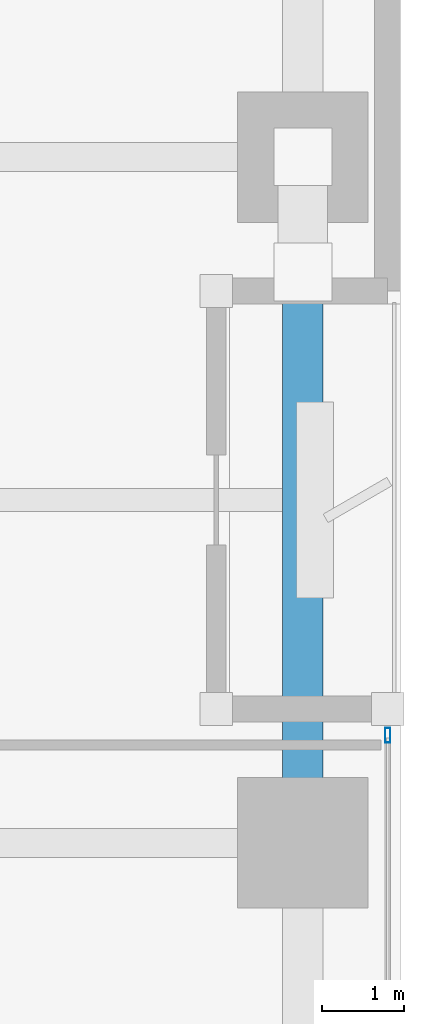
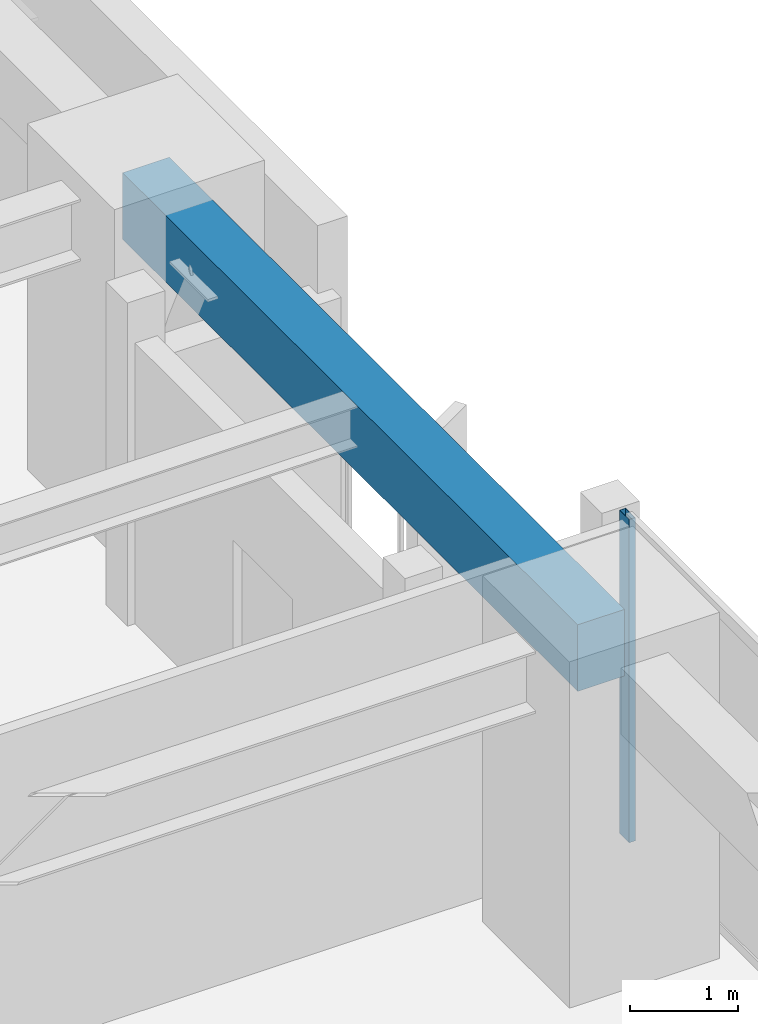
# One storey, part 10 of 28: 1 beam, 1 member, 1 element without a shape of its own.
"""IFC4 building model written with IfcOpenShell, lengths in metres."""

from ifc_helpers import new_model, si_unit, direction, frame, origin, origin_2d, place, context, subcontext, project, spatial, rectangle, hollow_rectangle, extrude, material, layer, layer_set, material_profile, profile_set, type_object, element, aggregate, save


model = new_model("IFC4")

# Units and contexts
model_context = context("Model", 3, precision=1e-05, world=origin(), true_north=direction((0.0, 1.0)))
body_context = subcontext(model_context, "Body", "Model", "MODEL_VIEW")
ifc_project = project(units=[si_unit("LENGTHUNIT", "METRE"), si_unit("AREAUNIT", "SQUARE_METRE"), si_unit("VOLUMEUNIT", "CUBIC_METRE"), si_unit("PLANEANGLEUNIT", "RADIAN"), si_unit("MASSUNIT", "GRAM", prefix="KILO")], contexts=[model_context])

# Site, building, storey
site_placement = place(None, origin())
site = spatial("IfcSite", under=ifc_project, at=site_placement, CompositionType="ELEMENT")
building_placement = place(site_placement, origin())
building = spatial("IfcBuilding", under=site, at=building_placement, Name="Kiyonajd Concourse Tower", CompositionType="ELEMENT")
storey_placement = place(building_placement, frame((0.0, 0.0, 37.199951171875)))
storey = spatial("IfcBuildingStorey", under=building, at=storey_placement, Name="L10", CompositionType="ELEMENT", Elevation=37.199951171875)

# Beam
ifc_material_1 = material(Name="Precast concrete C50/60", Category="concrete")
ifc_material_profile_1 = material_profile(ifc_material_1, rectangle(XDim=0.5, YDim=0.75, at=origin_2d()), Name="RCBM-500x750")
ifc_profile_set_1 = profile_set([ifc_material_profile_1], Name="Precast concrete C50/60")
beam_type = type_object("IfcBeamType", Name="BM-SPAN-RC", PredefinedType="SPANDREL", material=ifc_profile_set_1)
beam_placement = place(storey_placement, frame((78.0, 36.0, 3.26513671875), z_axis=(0.0, 1.0, 0.0), x_axis=(-1.0, 0.0, 0.0)))
element("IfcBeam", 1, at=beam_placement, inside=storey, type_object=beam_type, Name="L10 Perimeter Bundled Tube Spandrel", PredefinedType="SPANDREL", context=body_context, shape_type="SweptSolid", body=[
    extrude(rectangle(XDim=0.5, YDim=0.75, at=origin_2d()), origin(), (0.0, 0.0, 1.0), 8.39990234375),
])

# Curtain wall, member
ifc_material_2 = material(Name="Thermally Broken Anodised Aluminium", Category="aluminium")
ifc_layer = layer(ifc_material_2, 0.179931640625)
ifc_layer_set = layer_set([ifc_layer], Name="Thermally Broken Anodised Aluminium")
curtain_wall_type = type_object("IfcCurtainWallType", Name="CW-SYS-02", PredefinedType="NOTDEFINED", material=ifc_layer_set)
curtain_wall_placement = place(storey_placement, origin())
curtain_wall = element("IfcCurtainWall", 2, at=curtain_wall_placement, inside=storey, type_object=curtain_wall_type, Name="L10 Unitised Curtain Wall CW2", PredefinedType="NOTDEFINED")
ifc_material_profile_2 = material_profile(ifc_material_2, hollow_rectangle(XDim=0.06494140625, YDim=0.179931640625, WallThickness=0.00390625, at=origin_2d()), Name="MULL-65x180")
ifc_profile_set_2 = profile_set([ifc_material_profile_2], Name="Thermally Broken Anodised Aluminium")
member_type = type_object("IfcMemberType", Name="MB-CW-MULL1", PredefinedType="MULLION", material=ifc_profile_set_2)
member_placement = place(storey_placement, frame((79.0400390625, 37.3173828125, 0.0), z_axis=(0.0, 0.0, 1.0), x_axis=(1.0, 0.0, 0.0)))
member = element("IfcMember", 3, at=member_placement, type_object=member_type, Name="CW2 mullion 1", PredefinedType="MULLION", context=body_context, shape_type="SweptSolid", body=[
    extrude(hollow_rectangle(XDim=0.06494140625, YDim=0.179931640625, WallThickness=0.00390625, at=origin_2d()), origin(), (0.0, 0.0, 1.0), 3.64013671875),
])
aggregate(curtain_wall, [member])

save(model, "model.ifc")
